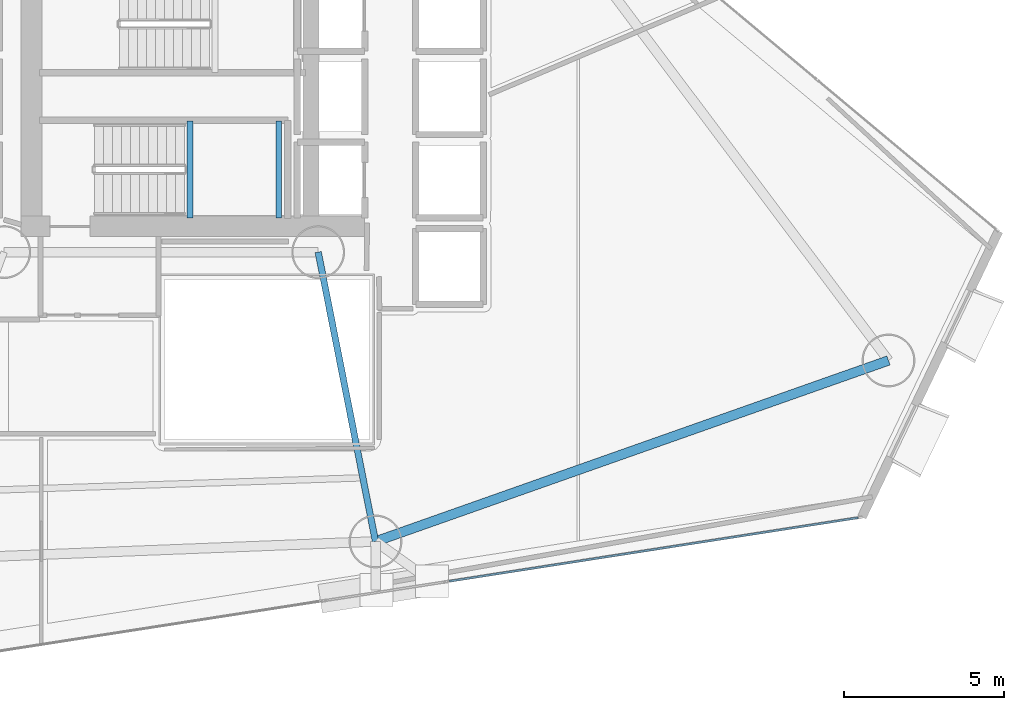
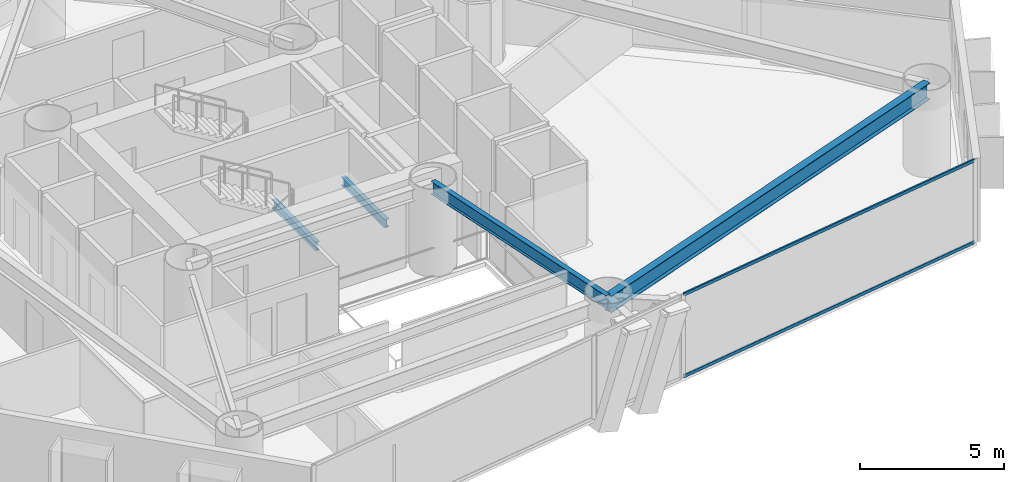
# One storey, part 7 of 23: 4 beams, 2 members, 1 element without a shape of its own.
"""IFC4 building model written with IfcOpenShell, lengths in metres."""

from ifc_helpers import new_model, si_unit, direction, frame, origin, origin_2d, place, context, subcontext, project, spatial, hollow_rectangle, i_section, extrude, material, layer, layer_set, material_profile, profile_set, type_object, element, aggregate, save


model = new_model("IFC4")

# Units and contexts
model_context = context("Model", 3, precision=1e-05, world=origin(), true_north=direction((0.0, 1.0)))
body_context = subcontext(model_context, "Body", "Model", "MODEL_VIEW")
ifc_project = project(units=[si_unit("LENGTHUNIT", "METRE"), si_unit("AREAUNIT", "SQUARE_METRE"), si_unit("VOLUMEUNIT", "CUBIC_METRE"), si_unit("PLANEANGLEUNIT", "RADIAN"), si_unit("MASSUNIT", "GRAM", prefix="KILO")], contexts=[model_context])

# Site, building, storey
site_placement = place(None, origin())
site = spatial("IfcSite", under=ifc_project, at=site_placement, CompositionType="ELEMENT")
building_placement = place(site_placement, origin())
building = spatial("IfcBuilding", under=site, at=building_placement, Name="Qianvela Tower", CompositionType="ELEMENT")
storey_placement = place(building_placement, frame((0.0, 0.0, 78.39990234375)))
storey = spatial("IfcBuildingStorey", under=building, at=storey_placement, Name="L19", CompositionType="ELEMENT", Elevation=78.39990234375)

# Beams
ifc_material_1 = material(Name="Steel Q355B", Category="steel")
ifc_material_profile_1 = material_profile(ifc_material_1, i_section(OverallWidth=0.175048828125, OverallDepth=0.35009765625, WebThickness=0.007080078125, FlangeThickness=0.010986328125, at=origin_2d()), Name="HN350x175x7x11")
ifc_profile_set_1 = profile_set([ifc_material_profile_1], Name="Steel Q355B")
beam_type_1 = type_object("IfcBeamType", Name="BM-HN350-JOIST", PredefinedType="JOIST", material=ifc_profile_set_1)
for number, where, z_axis, x_axis, name in (
    (1, (34.39990234375, 24.919921875, 1.47509765625), (0.0, 1.0, 0.0), (-1.0, 0.0, 0.0), "L19 Stair ST-2 Landing Support Beam 1.1"),
    (2, (37.169921875, 24.919921875, 1.47509765625), (0.0, 1.0, 0.0), (-1.0, 0.0, 0.0), "L19 Stair ST-2 Landing Support Beam 1.2"),
):
    element("IfcBeam", number, at=place(storey_placement, frame(where, z_axis=z_axis, x_axis=x_axis)), inside=storey, type_object=beam_type_1, Name=name, PredefinedType="JOIST", context=body_context, shape_type="SweptSolid", body=[
        extrude(i_section(OverallWidth=0.175048828125, OverallDepth=0.35009765625, WebThickness=0.007080078125, FlangeThickness=0.010986328125, at=origin_2d()), origin(), (0.0, 0.0, 1.0), 3.02001953125),
    ])
ifc_material_2 = material(Name="Steel Q355B", Category="steel")
ifc_material_profile_2 = material_profile(ifc_material_2, i_section(OverallWidth=0.199951171875, OverallDepth=0.550048828125, WebThickness=0.010009765625, FlangeThickness=0.01611328125, at=origin_2d()), Name="HN550x200x10x16")
ifc_profile_set_2 = profile_set([ifc_material_profile_2], Name="Steel Q355B")
beam_type_2 = type_object("IfcBeamType", Name="BM-HN550-GIRD", PredefinedType="BEAM", material=ifc_profile_set_2)
beam_1_placement = place(storey_placement, frame((38.39990234375, 23.85009765625, 3.2431640625), z_axis=(0.194325825688, -0.980937038485, 0.0), x_axis=(0.980937038485, 0.194325825688, 0.0)))
element("IfcBeam", 3, at=beam_1_placement, inside=storey, type_object=beam_type_2, Name="L19 Radial Primary Floor Girder 6", PredefinedType="BEAM", context=body_context, shape_type="SweptSolid", body=[
    extrude(i_section(OverallWidth=0.199951171875, OverallDepth=0.550048828125, WebThickness=0.010009765625, FlangeThickness=0.01611328125, at=origin_2d()), origin(), (0.0, 0.0, 1.0), 9.20654296875),
])
ifc_material_3 = material(Name="Steel Q355B", Category="steel")
ifc_material_profile_3 = material_profile(ifc_material_3, i_section(OverallWidth=0.300048828125, OverallDepth=0.699951171875, WebThickness=0.012939453125, FlangeThickness=0.02392578125, at=origin_2d()), Name="HN700x300x13x24")
ifc_profile_set_3 = profile_set([ifc_material_profile_3], Name="Steel Q355B")
beam_type_3 = type_object("IfcBeamType", Name="BM-HN700-SPAND", PredefinedType="SPANDREL", material=ifc_profile_set_3)
beam_2_placement = place(storey_placement, frame((40.18896484375, 14.819091796875, 3.168212890625), z_axis=(0.943021125648, 0.332732860687, 0.0), x_axis=(-0.332732860687, 0.943021125648, 0.0)))
element("IfcBeam", 4, at=beam_2_placement, inside=storey, type_object=beam_type_3, Name="L19 Perimeter Ring Spandrel Girder 6", PredefinedType="SPANDREL", context=body_context, shape_type="SweptSolid", body=[
    extrude(i_section(OverallWidth=0.300048828125, OverallDepth=0.699951171875, WebThickness=0.012939453125, FlangeThickness=0.02392578125, at=origin_2d()), origin(), (0.0, 0.0, 1.0), 16.977294921875),
])

# Curtain wall, members
ifc_material_4 = material(Name="Anodised Architectural Aluminium and Low-E Glass", Category="aluminium")
ifc_layer = layer(ifc_material_4, 0.179931640625)
ifc_layer_set = layer_set([ifc_layer], Name="Anodised Architectural Aluminium and Low-E Glass")
curtain_wall_type = type_object("IfcCurtainWallType", Name="CW-COLIV-Z12", PredefinedType="USERDEFINED", material=ifc_layer_set)
curtain_wall_placement = place(storey_placement, origin())
curtain_wall = element("IfcCurtainWall", 5, at=curtain_wall_placement, inside=storey, type_object=curtain_wall_type, Name="L19 CW-COLIV-Z12 Curtain Wall 06C", ObjectType="CURTAIN_WALL_SYSTEM", PredefinedType="USERDEFINED")
ifc_material_5 = material(Name="Anodised Architectural Aluminium 6063-T6", Category="aluminium")
ifc_material_profile_4 = material_profile(ifc_material_5, hollow_rectangle(XDim=0.06494140625, YDim=0.1298828125, WallThickness=0.00439453125, at=origin_2d()), Name="ALU-TRAN-65x130")
ifc_profile_set_4 = profile_set([ifc_material_profile_4], Name="Anodised Architectural Aluminium 6063-T6")
member_type = type_object("IfcMemberType", Name="CW-COLIV-Z12-TRAN", PredefinedType="USERDEFINED", material=ifc_profile_set_4)
member_1_placement = place(storey_placement, frame((42.491455078125, 13.577392578125, 0.03271484375), z_axis=(0.988139302867, 0.153560144992, 0.0), x_axis=(-0.153560144992, 0.988139302867, 0.0)))
member_1 = element("IfcMember", 6, at=member_1_placement, type_object=member_type, Name="CW-3 transom 1.1", ObjectType="TRANSOM", PredefinedType="USERDEFINED", context=body_context, shape_type="SweptSolid", body=[
    extrude(hollow_rectangle(XDim=0.06494140625, YDim=0.1298828125, WallThickness=0.00439453125, at=origin_2d()), origin(), (0.0, 0.0, 1.0), 12.912841796875),
])
member_2_placement = place(storey_placement, frame((42.491455078125, 13.577392578125, 3.487548828125), z_axis=(0.988139302867, 0.153560144992, 0.0), x_axis=(-0.153560144992, 0.988139302867, 0.0)))
member_2 = element("IfcMember", 7, at=member_2_placement, type_object=member_type, Name="CW-3 transom 1.2", ObjectType="TRANSOM", PredefinedType="USERDEFINED", context=body_context, shape_type="SweptSolid", body=[
    extrude(hollow_rectangle(XDim=0.06494140625, YDim=0.1298828125, WallThickness=0.00439453125, at=origin_2d()), origin(), (0.0, 0.0, 1.0), 12.912841796875),
])
aggregate(curtain_wall, [member_1, member_2])

save(model, "model.ifc")
